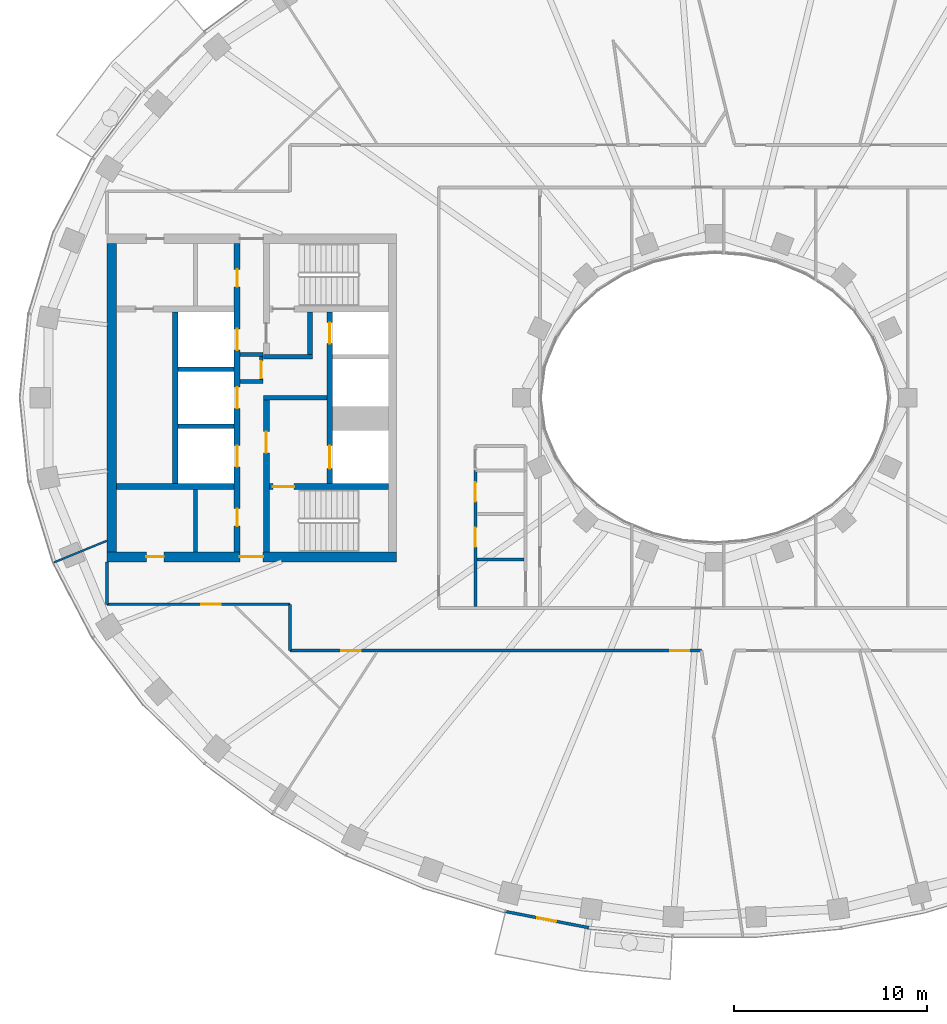
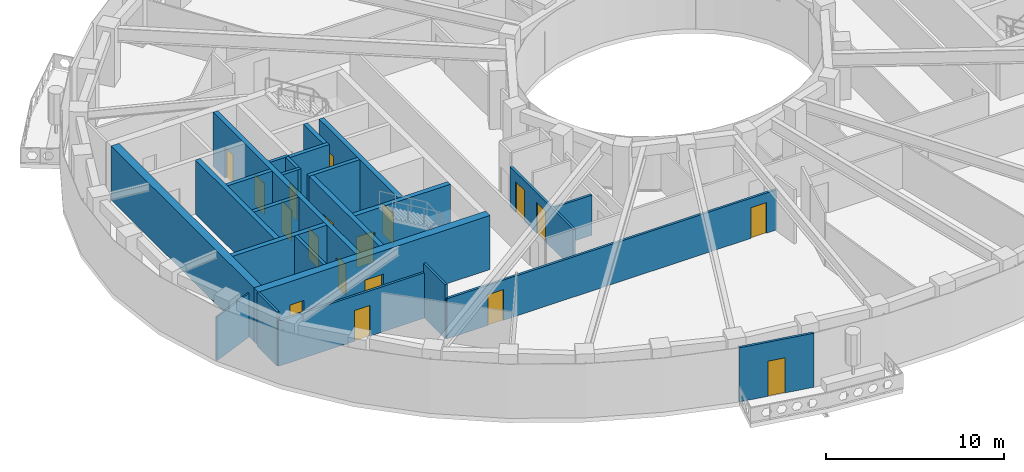
# One storey, part 3 of 16: 25 walls, 18 doors, 18 openings.
"""IFC4 building model written with IfcOpenShell, lengths in metres."""

import ifcopenshell
import ifcopenshell.guid

model = None  # the IFC model being written
_history = None  # IfcOwnerHistory: only IFC2X3 demands one
_inside = {}  # id of a spatial element -> (the spatial element, [elements in it])
_under = {}  # id of a project, library or spatial element -> (it, [spatial elements below it])
_declared = {}  # id of a project -> (the project, [libraries it declares])
_typed = {}  # id of a type object -> (the type object, [elements of that type])
_made_of = {}  # id of a material, layer set ... -> (it, [elements and type objects made of it])


def new_model(schema):
    """Start an empty IFC model of exactly this schema.

    Asked for "IFC4X3", IfcOpenShell would pick the latest addendum, in which some entities
    have other attributes; the version numbers below select the first issue.
    IFC2X3 requires an IfcOwnerHistory on every rooted entity: one is made here for all.
    """
    global model, _history
    if schema == "IFC4X3":
        model = ifcopenshell.file(schema_version=(4, 3, 0, 0))
    else:
        model = ifcopenshell.file(schema=schema)
    _inside.clear()
    _under.clear()
    _declared.clear()
    _typed.clear()
    _made_of.clear()
    _history = None
    if model.schema == "IFC2X3":
        org = make("IfcOrganization", Name="unknown")
        user = make(
            "IfcPersonAndOrganization",
            ThePerson=make("IfcPerson", FamilyName="unknown"),
            TheOrganization=org,
        )
        app = make(
            "IfcApplication",
            ApplicationDeveloper=org,
            Version="unknown",
            ApplicationFullName="unknown",
            ApplicationIdentifier="unknown",
        )
        _history = make(
            "IfcOwnerHistory",
            OwningUser=user,
            OwningApplication=app,
            ChangeAction="ADDED",
            CreationDate=0,
        )
    return model


def make(cls, **values):
    """One entity of the class cls with the attributes given. An attribute that is None is left unset."""
    return model.create_entity(
        cls, **{name: value for name, value in values.items() if value is not None}
    )


def rooted(cls, **values):
    """An entity with a GlobalId (a new one), such as an element, a storey or a relation."""
    return make(cls, GlobalId=ifcopenshell.guid.new(), OwnerHistory=_history, **values)


def si_unit(unit_type, name, prefix=None):
    """IfcSIUnit, for example si_unit("LENGTHUNIT", "METRE", prefix="MILLI")."""
    return make("IfcSIUnit", UnitType=unit_type, Prefix=prefix, Name=name)


def assignment(units):
    """IfcUnitAssignment: the units of a project."""
    return None if units is None else make("IfcUnitAssignment", Units=units)


def point(xyz):
    """IfcCartesianPoint."""
    return None if xyz is None else make("IfcCartesianPoint", Coordinates=xyz)


def direction(xyz):
    """IfcDirection."""
    return None if xyz is None else make("IfcDirection", DirectionRatios=xyz)


def frame(location, z_axis=None, x_axis=None):
    """IfcAxis2Placement3D, a coordinate frame: its origin and axes. An axis left out is left unset."""
    return make(
        "IfcAxis2Placement3D",
        Location=point(location),
        Axis=direction(z_axis),
        RefDirection=direction(x_axis),
    )


def frame_2d(location, x_axis=None):
    """IfcAxis2Placement2D, a coordinate frame in the plane: its origin and x axis."""
    return make(
        "IfcAxis2Placement2D", Location=point(location), RefDirection=direction(x_axis)
    )


def origin():
    """The frame at (0, 0, 0) with its axes left unset."""
    return frame((0.0, 0.0, 0.0))


def place(relative_to, where):
    """IfcLocalPlacement: puts the frame where relative to a parent placement (None: the world)."""
    return make(
        "IfcLocalPlacement", PlacementRelTo=relative_to, RelativePlacement=where
    )


def context(
    kind, dimensions, precision=None, world=None, true_north=None, identifier=None
):
    """IfcGeometricRepresentationContext, for example the 3D "Model" context."""
    return make(
        "IfcGeometricRepresentationContext",
        ContextIdentifier=identifier,
        ContextType=kind,
        CoordinateSpaceDimension=dimensions,
        Precision=precision,
        WorldCoordinateSystem=world,
        TrueNorth=true_north,
    )


def subcontext(parent, identifier, kind, view, scale=None):
    """IfcGeometricRepresentationSubContext, for example "Body" below "Model"."""
    return make(
        "IfcGeometricRepresentationSubContext",
        ContextIdentifier=identifier,
        ContextType=kind,
        ParentContext=parent,
        TargetScale=scale,
        TargetView=view,
    )


def project(units=None, contexts=None):
    """IfcProject with its units and contexts."""
    return rooted(
        "IfcProject",
        Name="project",
        RepresentationContexts=contexts,
        UnitsInContext=assignment(units),
    )


def spatial(cls, under=None, at=None, **own):
    """A site, building, storey or space (cls), placed at a placement, below another one or the project."""
    s = rooted(cls, ObjectPlacement=at, **own)
    if under is not None:
        _under.setdefault(under.id(), (under, []))[1].append(s)
    return s


def profile(cls, at=None, kind="AREA", **sizes):
    """A parametric profile (cls). Its sizes go by their IFC names, for example OverallWidth=200.0."""
    return make(cls, ProfileType=kind, Position=at, **sizes)


def rectangle(**sizes):
    """IfcRectangleProfileDef."""
    return profile("IfcRectangleProfileDef", **sizes)


def extrude(swept, where, along, depth):
    """IfcExtrudedAreaSolid: the profile swept, set in the frame where, extruded along a direction by depth."""
    return make(
        "IfcExtrudedAreaSolid",
        SweptArea=swept,
        Position=where,
        ExtrudedDirection=direction(along),
        Depth=depth,
    )


def shape(context_of_items, identifier, shape_type, items):
    """IfcShapeRepresentation: the items that make up one representation, for example the "Body"."""
    return make(
        "IfcShapeRepresentation",
        ContextOfItems=context_of_items,
        RepresentationIdentifier=identifier,
        RepresentationType=shape_type,
        Items=items,
    )


def material(Name=None, Category=None):
    """IfcMaterial."""
    return make("IfcMaterial", Name=Name, Category=Category)


def layer(
    of_material, thickness, ventilated=None, Name=None, Category=None, Priority=None
):
    """IfcMaterialLayer: one layer of a wall or slab, of a material (None: an air gap)."""
    return make(
        "IfcMaterialLayer",
        Material=of_material,
        LayerThickness=thickness,
        IsVentilated=ventilated,
        Name=Name,
        Category=Category,
        Priority=Priority,
    )


def layer_set(layers, Name=None):
    """IfcMaterialLayerSet."""
    return make("IfcMaterialLayerSet", MaterialLayers=layers, LayerSetName=Name)


def made_of(thing, what):
    """Note that an element or type object is made of a material, layer set ...; save() writes the relation."""
    if what is not None:
        _made_of.setdefault(what.id(), (what, []))[1].append(thing)
    return thing


def type_object(cls, material=None, **own):
    """A type object (cls), such as IfcWallType, which elements share."""
    return made_of(rooted(cls, **own), material)


def element(
    cls,
    number,
    at=None,
    inside=None,
    cuts=None,
    type_object=None,
    material=None,
    context=None,
    identifier="Body",
    shape_type=None,
    held_by="IfcProductDefinitionShape",
    body=None,
    shapes=None,
    **own,
):
    """One element of the class cls, such as IfcWall. Its Tag is "e" and its number.

    at: its placement. inside: the storey or other place that contains it. cuts: it is an
    opening in that element (IfcRelVoidsElement). A single representation is given by context,
    identifier, shape_type and body (its items); several are given by shapes. held_by: the class
    of the entity that holds the representations. save() writes the other relations.
    """
    e = rooted(cls, Tag="e%d" % number, ObjectPlacement=at, **own)
    if body is not None:
        shapes = [shape(context, identifier, shape_type, body)]
    if shapes is not None:
        e.Representation = make(held_by, Representations=shapes)
    if inside is not None:
        _inside.setdefault(inside.id(), (inside, []))[1].append(e)
    if cuts is not None:
        rooted(
            "IfcRelVoidsElement", RelatingBuildingElement=cuts, RelatedOpeningElement=e
        )
    if type_object is not None:
        _typed.setdefault(type_object.id(), (type_object, []))[1].append(e)
    return made_of(e, material)


def fill(opening, filler):
    """IfcRelFillsElement: the door or window that sits in an opening."""
    return rooted(
        "IfcRelFillsElement",
        RelatingOpeningElement=opening,
        RelatedBuildingElement=filler,
    )


def aggregate(whole, parts):
    """IfcRelAggregates: a whole, such as a stair, and the parts it consists of."""
    return rooted("IfcRelAggregates", RelatingObject=whole, RelatedObjects=parts)


def save(model, path):
    """Write the relations noted so far, then the file.

    IfcRelAggregates (storeys below a building ...), IfcRelContainedInSpatialStructure (elements
    in a storey), IfcRelDefinesByType, IfcRelAssociatesMaterial and IfcRelDeclares: one each for
    every whole, place, type object, material and project.
    """
    for whole, parts in _under.values():
        aggregate(whole, parts)
    for where, things in _inside.values():
        rooted(
            "IfcRelContainedInSpatialStructure",
            RelatedElements=things,
            RelatingStructure=where,
        )
    for kind, things in _typed.values():
        rooted("IfcRelDefinesByType", RelatedObjects=things, RelatingType=kind)
    for what, things in _made_of.values():
        rooted("IfcRelAssociatesMaterial", RelatedObjects=things, RelatingMaterial=what)
    for by, libraries in _declared.values():
        rooted("IfcRelDeclares", RelatingContext=by, RelatedDefinitions=libraries)
    model.write(path)


model = new_model("IFC4")

# Units and contexts
model_context = context("Model", 3, precision=1e-05, world=origin(), true_north=direction((0.0, 1.0)))
body_context = subcontext(model_context, "Body", "Model", "MODEL_VIEW")
ifc_project = project(units=[si_unit("LENGTHUNIT", "METRE"), si_unit("AREAUNIT", "SQUARE_METRE"), si_unit("VOLUMEUNIT", "CUBIC_METRE"), si_unit("PLANEANGLEUNIT", "RADIAN"), si_unit("MASSUNIT", "GRAM", prefix="KILO")], contexts=[model_context])

# Site, building, storey
site_placement = place(None, origin())
site = spatial("IfcSite", under=ifc_project, at=site_placement, CompositionType="ELEMENT")
building_placement = place(site_placement, origin())
building = spatial("IfcBuilding", under=site, at=building_placement, Name="Noorbagh Ring Tower", CompositionType="ELEMENT")
storey_placement = place(building_placement, frame((0.0, 0.0, 261.5)))
storey = spatial("IfcBuildingStorey", under=building, at=storey_placement, Name="L55", CompositionType="ELEMENT", Elevation=261.5)

# Walls
ifc_material_1 = material(Name="Gypsum board on steel studs", Category="steel")
ifc_layer_1 = layer(ifc_material_1, 0.199951171875)
ifc_layer_set_1 = layer_set([ifc_layer_1], Name="Gypsum board on steel studs")
wall_type_1 = type_object("IfcWallType", Name="CORE-PARTITION-200", PredefinedType="PARTITIONING", material=ifc_layer_set_1)
for number, where, z_axis, x_axis, name in (
    (1, (-23.39990234375, 0.85009765625, 0.0), (0.0, 0.0, 1.0), (-1.0, 0.0, 0.0), "Core partition W"),
    (2, (-23.39990234375, 2.25, 0.0), (0.0, 0.0, 1.0), (-1.0, 0.0, 0.0), "Core partition W"),
):
    element("IfcWall", number, at=place(storey_placement, frame(where, z_axis=z_axis, x_axis=x_axis)), inside=storey, type_object=wall_type_1, Name=name, PredefinedType="PARTITIONING", context=body_context, shape_type="SweptSolid", body=[
        extrude(rectangle(XDim=1.2001953125, YDim=0.199951171875, at=frame_2d((0.60009765625, 0.0))), origin(), (0.0, 0.0, 1.0), 3.699951171875),
    ])

# Wall, opening, door
wall_1_placement = place(storey_placement, frame((-23.5, 0.75, 0.0), z_axis=(0.0, 0.0, 1.0), x_axis=(0.0, 1.0, 0.0)))
wall_1 = element("IfcWall", 3, at=wall_1_placement, inside=storey, type_object=wall_type_1, Name="Core partition W", PredefinedType="PARTITIONING", context=body_context, shape_type="SweptSolid", body=[
    extrude(rectangle(XDim=1.60009765625, YDim=0.199951171875, at=frame_2d((0.800048828125, 0.0))), origin(), (0.0, 0.0, 1.0), 3.699951171875),
])
opening_1_placement = place(wall_1_placement, frame((0.25, 0.0, 0.0)))
opening_1 = element("IfcOpeningElement", 4, at=opening_1_placement, cuts=wall_1, Name="Opening L55-CW16", PredefinedType="OPENING", context=body_context, shape_type="SweptSolid", body=[
    extrude(rectangle(XDim=0.89990234375, YDim=2.10009765625, at=frame_2d((0.449951171875, 1.050048828125))), frame((0.0, 0.10986328125, 0.0), z_axis=(0.0, -1.0, 0.0), x_axis=(1.0, 0.0, 0.0)), (0.0, 0.0, 1.0), 0.219970703125),
])
ifc_material_2 = material(Name="Steel door leaf", Category="steel")
door_type_1 = type_object("IfcDoorType", Name="CORE-DOOR-DROOM", OperationType="SINGLE_SWING_LEFT", PredefinedType="DOOR", material=ifc_material_2)
door_1_placement = place(opening_1_placement, origin())
door_1 = element("IfcDoor", 5, at=door_1_placement, inside=storey, type_object=door_type_1, Name="Core room door L55-CW16", OperationType="SINGLE_SWING_RIGHT", OverallHeight=2.10009765625, OverallWidth=0.89990234375, PredefinedType="DOOR", context=body_context, shape_type="SweptSolid", body=[
    extrude(rectangle(XDim=0.89990234375, YDim=2.10009765625, at=frame_2d((0.449951171875, 1.050048828125))), frame((0.0, 0.02490234375, 0.0), z_axis=(0.0, -1.0, 0.0), x_axis=(1.0, 0.0, 0.0)), (0.0, 0.0, 1.0), 0.050048828125),
])
fill(opening_1, door_1)

# Walls
wall_2_placement = place(storey_placement, frame((-26.89990234375, -8.0, 0.0), z_axis=(0.0, 0.0, 1.0), x_axis=(0.0, 1.0, 0.0)))
element("IfcWall", 6, at=wall_2_placement, inside=storey, type_object=wall_type_1, Name="Core partition W", PredefinedType="PARTITIONING", context=body_context, shape_type="SweptSolid", body=[
    extrude(rectangle(XDim=3.25, YDim=0.199951171875, at=frame_2d((1.625, 0.0))), origin(), (0.0, 0.0, 1.0), 3.699951171875),
])
ifc_material_3 = material(Name="Concrete C60/75", Category="concrete")
ifc_layer_2 = layer(ifc_material_3, 0.25)
ifc_layer_set_2 = layer_set([ifc_layer_2], Name="Concrete C60/75")
wall_type_2 = type_object("IfcWallType", Name="CORE-WALL-250-C60-75-EI120", PredefinedType="SHEAR", material=ifc_layer_set_2)
for number, where, z_axis, x_axis, name in (
    (7, (-24.89990234375, -1.47509765625, 0.0), (0.0, 0.0, 1.0), (-1.0, 0.0, 0.0), "Core wall W"),
    (8, (-24.89990234375, 1.47509765625, 0.0), (0.0, 0.0, 1.0), (-1.0, 0.0, 0.0), "Core wall W"),
):
    element("IfcWall", number, at=place(storey_placement, frame(where, z_axis=z_axis, x_axis=x_axis)), inside=storey, type_object=wall_type_2, Name=name, PredefinedType="SHEAR", context=body_context, shape_type="SweptSolid", body=[
        extrude(rectangle(XDim=2.900146484375, YDim=0.25, at=frame_2d((1.4501953125, 0.0))), origin(), (0.0, 0.0, 1.0), 3.699951171875),
    ])
ifc_material_4 = material(Name="Concrete C60/75", Category="concrete")
ifc_layer_3 = layer(ifc_material_4, 0.25)
ifc_layer_set_3 = layer_set([ifc_layer_3], Name="Concrete C60/75")
wall_type_3 = type_object("IfcWallType", Name="CORE-WALL-250-C60-75-EI240", PredefinedType="SHEAR", material=ifc_layer_set_3)
wall_3_placement = place(storey_placement, frame((-20.10009765625, 0.0, 0.0), z_axis=(0.0, 0.0, 1.0), x_axis=(-1.0, 0.0, 0.0)))
element("IfcWall", 9, at=wall_3_placement, inside=storey, type_object=wall_type_3, Name="Core wall W", PredefinedType="SHEAR", context=body_context, shape_type="SweptSolid", body=[
    extrude(rectangle(XDim=3.27978515625, YDim=0.25, at=frame_2d((1.639892578125, 0.0))), origin(), (0.0, 0.0, 1.0), 3.699951171875),
])
wall_4_placement = place(storey_placement, frame((-20.85009765625, 2.125, 0.0), z_axis=(0.0, 0.0, 1.0), x_axis=(-1.0, 0.0, 0.0)))
element("IfcWall", 10, at=wall_4_placement, inside=storey, type_object=wall_type_3, Name="Core wall W", PredefinedType="SHEAR", context=body_context, shape_type="SweptSolid", body=[
    extrude(rectangle(XDim=2.52978515625, YDim=0.25, at=frame_2d((1.264892578125, 0.0))), origin(), (0.0, 0.0, 1.0), 3.699951171875),
])
wall_5_placement = place(storey_placement, frame((-20.97509765625, 2.25, 0.0), z_axis=(0.0, 0.0, 1.0), x_axis=(0.0, 1.0, 0.0)))
element("IfcWall", 11, at=wall_5_placement, inside=storey, type_object=wall_type_3, Name="Core wall W", PredefinedType="SHEAR", context=body_context, shape_type="SweptSolid", body=[
    extrude(rectangle(XDim=2.199951171875, YDim=0.25, at=frame_2d((1.10009765625, 0.0))), origin(), (0.0, 0.0, 1.0), 3.699951171875),
])
ifc_material_5 = material(Name="Concrete C60/75", Category="concrete")
ifc_layer_4 = layer(ifc_material_5, 0.300048828125)
ifc_layer_set_4 = layer_set([ifc_layer_4], Name="Concrete C60/75")
wall_type_4 = type_object("IfcWallType", Name="CORE-WALL-300-C60-75-EI120", PredefinedType="SHEAR", material=ifc_layer_set_4)
wall_6_placement = place(storey_placement, frame((-27.949951171875, -4.449951171875, 0.0), z_axis=(0.0, 0.0, 1.0), x_axis=(0.0, 1.0, 0.0)))
element("IfcWall", 12, at=wall_6_placement, inside=storey, type_object=wall_type_4, Name="Core wall W", PredefinedType="SHEAR", context=body_context, shape_type="SweptSolid", body=[
    extrude(rectangle(XDim=8.89990234375, YDim=0.300048828125, at=frame_2d((4.449951171875, 0.0))), origin(), (0.0, 0.0, 1.0), 3.699951171875),
])

# Wall, openings, doors
wall_7_placement = place(storey_placement, frame((-19.949951171875, -4.449951171875, 0.0), z_axis=(0.0, 0.0, 1.0), x_axis=(0.0, 1.0, 0.0)))
wall_7 = element("IfcWall", 13, at=wall_7_placement, inside=storey, type_object=wall_type_4, Name="Core wall W", PredefinedType="SHEAR", context=body_context, shape_type="SweptSolid", body=[
    extrude(rectangle(XDim=8.89990234375, YDim=0.300048828125, at=frame_2d((4.449951171875, 0.0))), origin(), (0.0, 0.0, 1.0), 3.699951171875),
])
opening_2_placement = place(wall_7_placement, frame((0.77490234375, 0.0, 0.0)))
opening_2 = element("IfcOpeningElement", 14, at=opening_2_placement, cuts=wall_7, Name="Opening L55-CW01", PredefinedType="OPENING", context=body_context, shape_type="SweptSolid", body=[
    extrude(rectangle(XDim=1.199951171875, YDim=2.10009765625, at=frame_2d((0.60009765625, 1.050048828125))), frame((0.0, 0.16015625, 0.0), z_axis=(0.0, -1.0, 0.0), x_axis=(1.0, 0.0, 0.0)), (0.0, 0.0, 1.0), 0.320068359375),
])
opening_3_placement = place(wall_7_placement, frame((7.25, 0.0, 0.0)))
opening_3 = element("IfcOpeningElement", 15, at=opening_3_placement, cuts=wall_7, Name="Opening L55-CW02", PredefinedType="OPENING", context=body_context, shape_type="SweptSolid", body=[
    extrude(rectangle(XDim=1.10009765625, YDim=2.10009765625, at=frame_2d((0.550048828125, 1.050048828125))), frame((0.0, 0.16015625, 0.0), z_axis=(0.0, -1.0, 0.0), x_axis=(1.0, 0.0, 0.0)), (0.0, 0.0, 1.0), 0.320068359375),
])
ifc_material_6 = material(Name="Steel door leaf", Category="steel")
door_type_2 = type_object("IfcDoorType", Name="CORE-DOOR-LD", OperationType="DOUBLE_DOOR_SLIDING", PredefinedType="DOOR", material=ifc_material_6)
door_2_placement = place(opening_3_placement, origin())
door_2 = element("IfcDoor", 16, at=door_2_placement, inside=storey, type_object=door_type_2, Name="Landing door HR1 L55-CW02", OperationType="DOUBLE_DOOR_SLIDING", OverallHeight=2.10009765625, OverallWidth=1.10009765625, PredefinedType="DOOR", context=body_context, shape_type="SweptSolid", body=[
    extrude(rectangle(XDim=1.10009765625, YDim=2.10009765625, at=frame_2d((0.550048828125, 1.050048828125))), frame((0.0, 0.02490234375, 0.0), z_axis=(0.0, -1.0, 0.0), x_axis=(1.0, 0.0, 0.0)), (0.0, 0.0, 1.0), 0.050048828125),
])
fill(opening_3, door_2)
ifc_material_7 = material(Name="Steel door leaf", Category="steel")
door_type_3 = type_object("IfcDoorType", Name="CORE-DOOR-LDW", OperationType="DOUBLE_DOOR_SLIDING", PredefinedType="DOOR", material=ifc_material_7)
door_3_placement = place(opening_2_placement, origin())
door_3 = element("IfcDoor", 17, at=door_3_placement, inside=storey, type_object=door_type_3, Name="Landing door FF1 L55-CW01", OperationType="DOUBLE_DOOR_SLIDING", OverallHeight=2.10009765625, OverallWidth=1.199951171875, PredefinedType="DOOR", context=body_context, shape_type="SweptSolid", body=[
    extrude(rectangle(XDim=1.199951171875, YDim=2.10009765625, at=frame_2d((0.60009765625, 1.050048828125))), frame((0.0, 0.02490234375, 0.0), z_axis=(0.0, -1.0, 0.0), x_axis=(1.0, 0.0, 0.0)), (0.0, 0.0, 1.0), 0.050048828125),
])
fill(opening_2, door_3)

wall_8_placement = place(storey_placement, frame((-24.75, -8.0, 0.0), z_axis=(0.0, 0.0, 1.0), x_axis=(0.0, 1.0, 0.0)))
wall_8 = element("IfcWall", 18, at=wall_8_placement, inside=storey, type_object=wall_type_4, Name="Core wall W", PredefinedType="SHEAR", context=body_context, shape_type="SweptSolid", body=[
    extrude(rectangle(XDim=16.0, YDim=0.300048828125, at=frame_2d((8.0, 0.0))), origin(), (0.0, 0.0, 1.0), 3.699951171875),
])
opening_4_placement = place(wall_8_placement, frame((4.425048828125, 0.0, 0.0)))
opening_4 = element("IfcOpeningElement", 19, at=opening_4_placement, cuts=wall_8, Name="Opening L55-CW03", PredefinedType="OPENING", context=body_context, shape_type="SweptSolid", body=[
    extrude(rectangle(XDim=1.10009765625, YDim=2.10009765625, at=frame_2d((0.550048828125, 1.050048828125))), frame((0.0, 0.16015625, 0.0), z_axis=(0.0, -1.0, 0.0), x_axis=(1.0, 0.0, 0.0)), (0.0, 0.0, 1.0), 0.320068359375),
])
opening_5_placement = place(wall_8_placement, frame((7.449951171875, 0.0, 0.0)))
opening_5 = element("IfcOpeningElement", 20, at=opening_5_placement, cuts=wall_8, Name="Opening L55-CW04", PredefinedType="OPENING", context=body_context, shape_type="SweptSolid", body=[
    extrude(rectangle(XDim=1.10009765625, YDim=2.10009765625, at=frame_2d((0.550048828125, 1.050048828125))), frame((0.0, 0.16015625, 0.0), z_axis=(0.0, -1.0, 0.0), x_axis=(1.0, 0.0, 0.0)), (0.0, 0.0, 1.0), 0.320068359375),
])
opening_6_placement = place(wall_8_placement, frame((10.47509765625, 0.0, 0.0)))
opening_6 = element("IfcOpeningElement", 21, at=opening_6_placement, cuts=wall_8, Name="Opening L55-CW05", PredefinedType="OPENING", context=body_context, shape_type="SweptSolid", body=[
    extrude(rectangle(XDim=1.10009765625, YDim=2.10009765625, at=frame_2d((0.550048828125, 1.050048828125))), frame((0.0, 0.16015625, 0.0), z_axis=(0.0, -1.0, 0.0), x_axis=(1.0, 0.0, 0.0)), (0.0, 0.0, 1.0), 0.320068359375),
])
opening_7_placement = place(wall_8_placement, frame((13.75, 0.0, 0.0)))
opening_7 = element("IfcOpeningElement", 22, at=opening_7_placement, cuts=wall_8, Name="Opening L55-CW12", PredefinedType="OPENING", context=body_context, shape_type="SweptSolid", body=[
    extrude(rectangle(XDim=0.89990234375, YDim=2.10009765625, at=frame_2d((0.449951171875, 1.050048828125))), frame((0.0, 0.16015625, 0.0), z_axis=(0.0, -1.0, 0.0), x_axis=(1.0, 0.0, 0.0)), (0.0, 0.0, 1.0), 0.320068359375),
])
opening_8_placement = place(wall_8_placement, frame((1.35009765625, 0.0, 0.0)))
opening_8 = element("IfcOpeningElement", 23, at=opening_8_placement, cuts=wall_8, Name="Opening L55-CW14", PredefinedType="OPENING", context=body_context, shape_type="SweptSolid", body=[
    extrude(rectangle(XDim=0.89990234375, YDim=2.10009765625, at=frame_2d((0.449951171875, 1.050048828125))), frame((0.0, 0.16015625, 0.0), z_axis=(0.0, -1.0, 0.0), x_axis=(1.0, 0.0, 0.0)), (0.0, 0.0, 1.0), 0.320068359375),
])
door_4_placement = place(opening_7_placement, origin())
door_4 = element("IfcDoor", 24, at=door_4_placement, inside=storey, type_object=door_type_1, Name="Core room door L55-CW12", OperationType="SINGLE_SWING_RIGHT", OverallHeight=2.10009765625, OverallWidth=0.89990234375, PredefinedType="DOOR", context=body_context, shape_type="SweptSolid", body=[
    extrude(rectangle(XDim=0.89990234375, YDim=2.10009765625, at=frame_2d((0.449951171875, 1.050048828125))), frame((0.0, 0.02490234375, 0.0), z_axis=(0.0, -1.0, 0.0), x_axis=(1.0, 0.0, 0.0)), (0.0, 0.0, 1.0), 0.050048828125),
])
fill(opening_7, door_4)
door_5_placement = place(opening_8_placement, origin())
door_5 = element("IfcDoor", 25, at=door_5_placement, inside=storey, type_object=door_type_1, Name="Core room door L55-CW14", OperationType="SINGLE_SWING_LEFT", OverallHeight=2.10009765625, OverallWidth=0.89990234375, PredefinedType="DOOR", context=body_context, shape_type="SweptSolid", body=[
    extrude(rectangle(XDim=0.89990234375, YDim=2.10009765625, at=frame_2d((0.449951171875, 1.050048828125))), frame((0.0, 0.02490234375, 0.0), z_axis=(0.0, -1.0, 0.0), x_axis=(1.0, 0.0, 0.0)), (0.0, 0.0, 1.0), 0.050048828125),
])
fill(opening_8, door_5)
door_6_placement = place(opening_4_placement, origin())
door_6 = element("IfcDoor", 26, at=door_6_placement, inside=storey, type_object=door_type_2, Name="Landing door HR2 L55-CW03", OperationType="DOUBLE_DOOR_SLIDING", OverallHeight=2.10009765625, OverallWidth=1.10009765625, PredefinedType="DOOR", context=body_context, shape_type="SweptSolid", body=[
    extrude(rectangle(XDim=1.10009765625, YDim=2.10009765625, at=frame_2d((0.550048828125, 1.050048828125))), frame((0.0, 0.02490234375, 0.0), z_axis=(0.0, -1.0, 0.0), x_axis=(1.0, 0.0, 0.0)), (0.0, 0.0, 1.0), 0.050048828125),
])
fill(opening_4, door_6)
door_7_placement = place(opening_5_placement, origin())
door_7 = element("IfcDoor", 27, at=door_7_placement, inside=storey, type_object=door_type_2, Name="Landing door HR3 L55-CW04", OperationType="DOUBLE_DOOR_SLIDING", OverallHeight=2.10009765625, OverallWidth=1.10009765625, PredefinedType="DOOR", context=body_context, shape_type="SweptSolid", body=[
    extrude(rectangle(XDim=1.10009765625, YDim=2.10009765625, at=frame_2d((0.550048828125, 1.050048828125))), frame((0.0, 0.02490234375, 0.0), z_axis=(0.0, -1.0, 0.0), x_axis=(1.0, 0.0, 0.0)), (0.0, 0.0, 1.0), 0.050048828125),
])
fill(opening_5, door_7)
door_8_placement = place(opening_6_placement, origin())
door_8 = element("IfcDoor", 28, at=door_8_placement, inside=storey, type_object=door_type_2, Name="Landing door HR4 L55-CW05", OperationType="DOUBLE_DOOR_SLIDING", OverallHeight=2.10009765625, OverallWidth=1.10009765625, PredefinedType="DOOR", context=body_context, shape_type="SweptSolid", body=[
    extrude(rectangle(XDim=1.10009765625, YDim=2.10009765625, at=frame_2d((0.550048828125, 1.050048828125))), frame((0.0, 0.02490234375, 0.0), z_axis=(0.0, -1.0, 0.0), x_axis=(1.0, 0.0, 0.0)), (0.0, 0.0, 1.0), 0.050048828125),
])
fill(opening_6, door_8)

# Wall
ifc_material_8 = material(Name="Concrete C60/75", Category="concrete")
ifc_layer_5 = layer(ifc_material_8, 0.300048828125)
ifc_layer_set_5 = layer_set([ifc_layer_5], Name="Concrete C60/75")
wall_type_5 = type_object("IfcWallType", Name="CORE-WALL-300-C60-75-EI240", PredefinedType="SHEAR", material=ifc_layer_set_5)
wall_9_placement = place(storey_placement, frame((-24.89990234375, -4.60009765625, 0.0), z_axis=(0.0, 0.0, 1.0), x_axis=(-1.0, 0.0, 0.0)))
element("IfcWall", 29, at=wall_9_placement, inside=storey, type_object=wall_type_5, Name="Core wall W", PredefinedType="SHEAR", context=body_context, shape_type="SweptSolid", body=[
    extrude(rectangle(XDim=6.10009765625, YDim=0.300048828125, at=frame_2d((3.050048828125, 0.0))), origin(), (0.0, 0.0, 1.0), 3.699951171875),
])

# Wall, opening, door
wall_10_placement = place(storey_placement, frame((-23.22998046875, -8.0, 0.0), z_axis=(0.0, 0.0, 1.0), x_axis=(0.0, 1.0, 0.0)))
wall_10 = element("IfcWall", 30, at=wall_10_placement, inside=storey, type_object=wall_type_5, Name="Core wall W", PredefinedType="SHEAR", context=body_context, shape_type="SweptSolid", body=[
    extrude(rectangle(XDim=7.875, YDim=0.300048828125, at=frame_2d((3.9375, 0.0))), origin(), (0.0, 0.0, 1.0), 3.699951171875),
])
opening_9_placement = place(wall_10_placement, frame((5.14990234375, 0.0, 0.0)))
opening_9 = element("IfcOpeningElement", 31, at=opening_9_placement, cuts=wall_10, Name="Opening L55-CW08", PredefinedType="OPENING", context=body_context, shape_type="SweptSolid", body=[
    extrude(rectangle(XDim=1.10009765625, YDim=2.10009765625, at=frame_2d((0.550048828125, 1.050048828125))), frame((0.0, 0.16015625, 0.0), z_axis=(0.0, -1.0, 0.0), x_axis=(1.0, 0.0, 0.0)), (0.0, 0.0, 1.0), 0.320068359375),
])
ifc_material_9 = material(Name="Steel door leaf", Category="steel")
door_type_4 = type_object("IfcDoorType", Name="CORE-DOOR-DFF", OperationType="SINGLE_SWING_LEFT", PredefinedType="DOOR", material=ifc_material_9)
door_9_placement = place(opening_9_placement, origin())
door_9 = element("IfcDoor", 32, at=door_9_placement, inside=storey, type_object=door_type_4, Name="Firefighting lobby door L55-CW08", OperationType="SINGLE_SWING_LEFT", OverallHeight=2.10009765625, OverallWidth=1.10009765625, PredefinedType="DOOR", context=body_context, shape_type="SweptSolid", body=[
    extrude(rectangle(XDim=1.10009765625, YDim=2.10009765625, at=frame_2d((0.550048828125, 1.050048828125))), frame((0.0, 0.02490234375, 0.0), z_axis=(0.0, -1.0, 0.0), x_axis=(1.0, 0.0, 0.0)), (0.0, 0.0, 1.0), 0.050048828125),
])
fill(opening_9, door_9)

wall_11_placement = place(storey_placement, frame((-16.89990234375, -4.60009765625, 0.0), z_axis=(0.0, 0.0, 1.0), x_axis=(-1.0, 0.0, 0.0)))
wall_11 = element("IfcWall", 33, at=wall_11_placement, inside=storey, type_object=wall_type_5, Name="Core wall W", PredefinedType="SHEAR", context=body_context, shape_type="SweptSolid", body=[
    extrude(rectangle(XDim=6.18017578125, YDim=0.300048828125, at=frame_2d((3.090087890625, 0.0))), origin(), (0.0, 0.0, 1.0), 3.699951171875),
])
opening_10_placement = place(wall_11_placement, frame((4.89990234375, 0.0, 0.0)))
opening_10 = element("IfcOpeningElement", 34, at=opening_10_placement, cuts=wall_11, Name="Opening L55-CW07", PredefinedType="OPENING", context=body_context, shape_type="SweptSolid", body=[
    extrude(rectangle(XDim=1.10009765625, YDim=2.10009765625, at=frame_2d((0.550048828125, 1.050048828125))), frame((0.0, 0.16015625, 0.0), z_axis=(0.0, -1.0, 0.0), x_axis=(1.0, 0.0, 0.0)), (0.0, 0.0, 1.0), 0.320068359375),
])
ifc_material_10 = material(Name="Steel door leaf", Category="steel")
door_type_5 = type_object("IfcDoorType", Name="CORE-DOOR-DSTAIR", OperationType="SINGLE_SWING_LEFT", PredefinedType="DOOR", material=ifc_material_10)
door_10_placement = place(opening_10_placement, origin())
door_10 = element("IfcDoor", 35, at=door_10_placement, inside=storey, type_object=door_type_5, Name="Stair door ST2 L55-CW07", OperationType="SINGLE_SWING_LEFT", OverallHeight=2.10009765625, OverallWidth=1.10009765625, PredefinedType="DOOR", context=body_context, shape_type="SweptSolid", body=[
    extrude(rectangle(XDim=1.10009765625, YDim=2.10009765625, at=frame_2d((0.550048828125, 1.050048828125))), frame((0.0, 0.02490234375, 0.0), z_axis=(0.0, -1.0, 0.0), x_axis=(1.0, 0.0, 0.0)), (0.0, 0.0, 1.0), 0.050048828125),
])
fill(opening_10, door_10)

# Wall, openings, doors
ifc_material_11 = material(Name="Concrete C60/75", Category="concrete")
ifc_layer_6 = layer(ifc_material_11, 0.5)
ifc_layer_set_6 = layer_set([ifc_layer_6], Name="Concrete C60/75")
wall_type_6 = type_object("IfcWallType", Name="CORE-WALL-500-C60-75-EI240", PredefinedType="SHEAR", material=ifc_layer_set_6)
wall_12_placement = place(storey_placement, frame((-16.5, -8.25, 0.0), z_axis=(0.0, 0.0, 1.0), x_axis=(-1.0, 0.0, 0.0)))
wall_12 = element("IfcWall", 36, at=wall_12_placement, inside=storey, type_object=wall_type_6, Name="Core wall W", PredefinedType="SHEAR", context=body_context, shape_type="SweptSolid", body=[
    extrude(rectangle(XDim=15.0, YDim=0.5, at=frame_2d((7.5, 0.0))), origin(), (0.0, 0.0, 1.0), 3.699951171875),
])
opening_11_placement = place(wall_12_placement, frame((6.89990234375, 0.0, 0.0)))
opening_11 = element("IfcOpeningElement", 37, at=opening_11_placement, cuts=wall_12, Name="Opening L55-CW11", PredefinedType="OPENING", context=body_context, shape_type="SweptSolid", body=[
    extrude(rectangle(XDim=1.199951171875, YDim=2.10009765625, at=frame_2d((0.60009765625, 1.050048828125))), frame((0.0, 0.260009765625, 0.0), z_axis=(0.0, -1.0, 0.0), x_axis=(1.0, 0.0, 0.0)), (0.0, 0.0, 1.0), 0.52001953125),
])
opening_12_placement = place(wall_12_placement, frame((12.050048828125, 0.0, 0.0)))
opening_12 = element("IfcOpeningElement", 38, at=opening_12_placement, cuts=wall_12, Name="Opening L55-CW15", PredefinedType="OPENING", context=body_context, shape_type="SweptSolid", body=[
    extrude(rectangle(XDim=0.89990234375, YDim=2.10009765625, at=frame_2d((0.449951171875, 1.050048828125))), frame((0.0, 0.260009765625, 0.0), z_axis=(0.0, -1.0, 0.0), x_axis=(1.0, 0.0, 0.0)), (0.0, 0.0, 1.0), 0.52001953125),
])
door_11_placement = place(opening_12_placement, origin())
door_11 = element("IfcDoor", 39, at=door_11_placement, inside=storey, type_object=door_type_1, Name="Core room door L55-CW15", OperationType="SINGLE_SWING_LEFT", OverallHeight=2.10009765625, OverallWidth=0.89990234375, PredefinedType="DOOR", context=body_context, shape_type="SweptSolid", body=[
    extrude(rectangle(XDim=0.89990234375, YDim=2.10009765625, at=frame_2d((0.449951171875, 1.050048828125))), frame((0.0, 0.02490234375, 0.0), z_axis=(0.0, -1.0, 0.0), x_axis=(1.0, 0.0, 0.0)), (0.0, 0.0, 1.0), 0.050048828125),
])
fill(opening_12, door_11)
ifc_material_12 = material(Name="Steel door leaf", Category="steel")
door_type_6 = type_object("IfcDoorType", Name="CORE-DOOR-PORT", OperationType="DOUBLE_DOOR_DOUBLE_SWING", PredefinedType="DOOR", material=ifc_material_12)
door_12_placement = place(opening_11_placement, origin())
door_12 = element("IfcDoor", 40, at=door_12_placement, inside=storey, type_object=door_type_6, Name="Core entrance door L55-CW11", OperationType="DOUBLE_DOOR_DOUBLE_SWING", OverallHeight=2.10009765625, OverallWidth=1.199951171875, PredefinedType="DOOR", context=body_context, shape_type="SweptSolid", body=[
    extrude(rectangle(XDim=1.199951171875, YDim=2.10009765625, at=frame_2d((0.60009765625, 1.050048828125))), frame((0.0, 0.02490234375, 0.0), z_axis=(0.0, -1.0, 0.0), x_axis=(1.0, 0.0, 0.0)), (0.0, 0.0, 1.0), 0.050048828125),
])
fill(opening_11, door_12)

# Walls
wall_13_placement = place(storey_placement, frame((-31.25, -8.0, 0.0), z_axis=(0.0, 0.0, 1.0), x_axis=(0.0, 1.0, 0.0)))
element("IfcWall", 41, at=wall_13_placement, inside=storey, type_object=wall_type_6, Name="Core wall W", PredefinedType="SHEAR", context=body_context, shape_type="SweptSolid", body=[
    extrude(rectangle(XDim=16.0, YDim=0.5, at=frame_2d((8.0, 0.0))), origin(), (0.0, 0.0, 1.0), 3.699951171875),
])
ifc_material_13 = material(Name="Gypsum board on steel studs", Category="steel")
ifc_layer_7 = layer(ifc_material_13, 0.14990234375)
ifc_layer_set_7 = layer_set([ifc_layer_7], Name="Gypsum board on steel studs")
wall_type_7 = type_object("IfcWallType", Name="CORRIDOR PARTITION 150 EI 30", PredefinedType="PARTITIONING", material=ifc_layer_set_7)
wall_14_placement = place(storey_placement, frame((-31.5, -10.699951171875, 0.0), z_axis=(0.0, 0.0, 1.0), x_axis=(0.0, 1.0, 0.0)))
element("IfcWall", 42, at=wall_14_placement, inside=storey, type_object=wall_type_7, Name="L55/wall/P02", PredefinedType="PARTITIONING", context=body_context, shape_type="SweptSolid", body=[
    extrude(rectangle(XDim=2.199951171875, YDim=0.14990234375, at=frame_2d((1.10009765625, 0.0))), origin(), (0.0, 0.0, 1.0), 3.699951171875),
])

# Wall, opening, door
wall_15_placement = place(storey_placement, frame((-31.5, -10.699951171875, 0.0), z_axis=(0.0, 0.0, 1.0), x_axis=(1.0, 0.0, 0.0)))
wall_15 = element("IfcWall", 43, at=wall_15_placement, inside=storey, type_object=wall_type_7, Name="L55/wall/P03", PredefinedType="PARTITIONING", context=body_context, shape_type="SweptSolid", body=[
    extrude(rectangle(XDim=9.5, YDim=0.14990234375, at=frame_2d((4.75, 0.0))), origin(), (0.0, 0.0, 1.0), 3.10009765625),
])
opening_13_placement = place(wall_15_placement, frame((4.89990234375, 0.0, 0.0)))
opening_13 = element("IfcOpeningElement", 44, at=opening_13_placement, cuts=wall_15, Name="Opening D1", PredefinedType="OPENING", context=body_context, shape_type="SweptSolid", body=[
    extrude(rectangle(XDim=1.0, YDim=2.10009765625, at=frame_2d((0.5, 1.050048828125))), frame((0.0, 0.0849609375, 0.0), z_axis=(0.0, -1.0, 0.0), x_axis=(1.0, 0.0, 0.0)), (0.0, 0.0, 1.0), 0.169921875),
])
ifc_material_14 = material(Name="Timber, painted", Category="wood")
door_type_7 = type_object("IfcDoorType", Name="DOOR 1000 X 2100 FD30", OperationType="SINGLE_SWING_LEFT", PredefinedType="DOOR", material=ifc_material_14)
door_13_placement = place(opening_13_placement, origin())
door_13 = element("IfcDoor", 45, at=door_13_placement, inside=storey, type_object=door_type_7, Name="L55-D06", OperationType="SINGLE_SWING_RIGHT", OverallHeight=2.10009765625, OverallWidth=1.0, PredefinedType="DOOR", context=body_context, shape_type="SweptSolid", body=[
    extrude(rectangle(XDim=1.0, YDim=2.10009765625, at=frame_2d((0.5, 1.050048828125))), frame((0.0, 0.02490234375, 0.0), z_axis=(0.0, -1.0, 0.0), x_axis=(1.0, 0.0, 0.0)), (0.0, 0.0, 1.0), 0.050048828125),
])
fill(opening_13, door_13)

# Wall
wall_16_placement = place(storey_placement, frame((-22.0, -13.10009765625, 0.0), z_axis=(0.0, 0.0, 1.0), x_axis=(0.0, 1.0, 0.0)))
element("IfcWall", 46, at=wall_16_placement, inside=storey, type_object=wall_type_7, Name="L55/wall/P10", PredefinedType="PARTITIONING", context=body_context, shape_type="SweptSolid", body=[
    extrude(rectangle(XDim=2.400146484375, YDim=0.14990234375, at=frame_2d((1.2001953125, 0.0))), origin(), (0.0, 0.0, 1.0), 3.699951171875),
])

# Wall, openings, doors
wall_17_placement = place(storey_placement, frame((-22.0, -13.10009765625, 0.0), z_axis=(0.0, 0.0, 1.0), x_axis=(1.0, 0.0, 0.0)))
wall_17 = element("IfcWall", 47, at=wall_17_placement, inside=storey, type_object=wall_type_7, Name="L55/wall/P11", PredefinedType="PARTITIONING", context=body_context, shape_type="SweptSolid", body=[
    extrude(rectangle(XDim=21.31396484375, YDim=0.14990234375, at=frame_2d((10.656982421875, 0.0))), origin(), (0.0, 0.0, 1.0), 2.75),
])
opening_14_placement = place(wall_17_placement, frame((2.64990234375, 0.0, 0.0)))
opening_14 = element("IfcOpeningElement", 48, at=opening_14_placement, cuts=wall_17, Name="Opening D1", PredefinedType="OPENING", context=body_context, shape_type="SweptSolid", body=[
    extrude(rectangle(XDim=1.0, YDim=2.10009765625, at=frame_2d((0.5, 1.050048828125))), frame((0.0, 0.0849609375, 0.0), z_axis=(0.0, -1.0, 0.0), x_axis=(1.0, 0.0, 0.0)), (0.0, 0.0, 1.0), 0.169921875),
])
opening_15_placement = place(wall_17_placement, frame((19.68603515625, 0.0, 0.0)))
opening_15 = element("IfcOpeningElement", 49, at=opening_15_placement, cuts=wall_17, Name="Opening D1", PredefinedType="OPENING", context=body_context, shape_type="SweptSolid", body=[
    extrude(rectangle(XDim=1.0, YDim=2.10009765625, at=frame_2d((0.5, 1.050048828125))), frame((0.0, 0.0849609375, 0.0), z_axis=(0.0, -1.0, 0.0), x_axis=(1.0, 0.0, 0.0)), (0.0, 0.0, 1.0), 0.169921875),
])
door_14_placement = place(opening_14_placement, origin())
door_14 = element("IfcDoor", 50, at=door_14_placement, inside=storey, type_object=door_type_7, Name="L55-D08", OperationType="SINGLE_SWING_RIGHT", OverallHeight=2.10009765625, OverallWidth=1.0, PredefinedType="DOOR", context=body_context, shape_type="SweptSolid", body=[
    extrude(rectangle(XDim=1.0, YDim=2.10009765625, at=frame_2d((0.5, 1.050048828125))), frame((0.0, 0.02490234375, 0.0), z_axis=(0.0, -1.0, 0.0), x_axis=(1.0, 0.0, 0.0)), (0.0, 0.0, 1.0), 0.050048828125),
])
fill(opening_14, door_14)
door_15_placement = place(opening_15_placement, origin())
door_15 = element("IfcDoor", 51, at=door_15_placement, inside=storey, type_object=door_type_7, Name="L55-D10", OperationType="SINGLE_SWING_RIGHT", OverallHeight=2.10009765625, OverallWidth=1.0, PredefinedType="DOOR", context=body_context, shape_type="SweptSolid", body=[
    extrude(rectangle(XDim=1.0, YDim=2.10009765625, at=frame_2d((0.5, 1.050048828125))), frame((0.0, 0.02490234375, 0.0), z_axis=(0.0, -1.0, 0.0), x_axis=(1.0, 0.0, 0.0)), (0.0, 0.0, 1.0), 0.050048828125),
])
fill(opening_15, door_15)

wall_18_placement = place(storey_placement, frame((-12.39990234375, -10.824951171875, 0.0), z_axis=(0.0, 0.0, 1.0), x_axis=(0.0, 1.0, 0.0)))
wall_18 = element("IfcWall", 52, at=wall_18_placement, inside=storey, type_object=wall_type_7, Name="L55/wall/P17", PredefinedType="PARTITIONING", context=body_context, shape_type="SweptSolid", body=[
    extrude(rectangle(XDim=7.06494140625, YDim=0.14990234375, at=frame_2d((3.532470703125, 0.0))), origin(), (0.0, 0.0, 1.0), 2.75),
])
opening_16_placement = place(wall_18_placement, frame((3.094970703125, 0.0, 0.0)))
opening_16 = element("IfcOpeningElement", 53, at=opening_16_placement, cuts=wall_18, Name="Opening D3", PredefinedType="OPENING", context=body_context, shape_type="SweptSolid", body=[
    extrude(rectangle(XDim=1.0, YDim=2.10009765625, at=frame_2d((0.5, 1.050048828125))), frame((0.0, 0.0849609375, 0.0), z_axis=(0.0, -1.0, 0.0), x_axis=(1.0, 0.0, 0.0)), (0.0, 0.0, 1.0), 0.169921875),
])
opening_17_placement = place(wall_18_placement, frame((5.447021484375, 0.0, 0.0)))
opening_17 = element("IfcOpeningElement", 54, at=opening_17_placement, cuts=wall_18, Name="Opening D3", PredefinedType="OPENING", context=body_context, shape_type="SweptSolid", body=[
    extrude(rectangle(XDim=1.0, YDim=2.10009765625, at=frame_2d((0.5, 1.050048828125))), frame((0.0, 0.0849609375, 0.0), z_axis=(0.0, -1.0, 0.0), x_axis=(1.0, 0.0, 0.0)), (0.0, 0.0, 1.0), 0.169921875),
])
ifc_material_15 = material(Name="Timber, painted", Category="wood")
door_type_8 = type_object("IfcDoorType", Name="DOOR 1000 X 2100 WC", OperationType="SINGLE_SWING_LEFT", PredefinedType="DOOR", material=ifc_material_15)
door_16_placement = place(opening_16_placement, origin())
door_16 = element("IfcDoor", 55, at=door_16_placement, inside=storey, type_object=door_type_8, Name="L55-D03", OperationType="SINGLE_SWING_LEFT", OverallHeight=2.10009765625, OverallWidth=1.0, PredefinedType="DOOR", context=body_context, shape_type="SweptSolid", body=[
    extrude(rectangle(XDim=1.0, YDim=2.10009765625, at=frame_2d((0.5, 1.050048828125))), frame((0.0, 0.02490234375, 0.0), z_axis=(0.0, -1.0, 0.0), x_axis=(1.0, 0.0, 0.0)), (0.0, 0.0, 1.0), 0.050048828125),
])
fill(opening_16, door_16)
door_17_placement = place(opening_17_placement, origin())
door_17 = element("IfcDoor", 56, at=door_17_placement, inside=storey, type_object=door_type_8, Name="L55-D04", OperationType="SINGLE_SWING_RIGHT", OverallHeight=2.10009765625, OverallWidth=1.0, PredefinedType="DOOR", context=body_context, shape_type="SweptSolid", body=[
    extrude(rectangle(XDim=1.0, YDim=2.10009765625, at=frame_2d((0.5, 1.050048828125))), frame((0.0, 0.02490234375, 0.0), z_axis=(0.0, -1.0, 0.0), x_axis=(1.0, 0.0, 0.0)), (0.0, 0.0, 1.0), 0.050048828125),
])
fill(opening_17, door_17)

# Wall
wall_19_placement = place(storey_placement, frame((-12.324951171875, -8.3798828125, 0.0), z_axis=(0.0, 0.0, 1.0), x_axis=(1.0, 0.0, 0.0)))
element("IfcWall", 57, at=wall_19_placement, inside=storey, type_object=wall_type_7, Name="L55/wall/P18", PredefinedType="PARTITIONING", context=body_context, shape_type="SweptSolid", body=[
    extrude(rectangle(XDim=2.449951171875, YDim=0.14990234375, at=frame_2d((1.22509765625, 0.0))), origin(), (0.0, 0.0, 1.0), 2.75),
])

# Wall, opening, door
ifc_material_16 = material(Name="Insulated aluminium clad panel", Category="aluminium")
ifc_layer_8 = layer(ifc_material_16, 0.14990234375)
ifc_layer_set_8 = layer_set([ifc_layer_8], Name="Insulated aluminium clad panel")
wall_type_8 = type_object("IfcWallType", Name="ENV-WALL-DOOR", PredefinedType="STANDARD", material=ifc_layer_set_8)
wall_20_placement = place(storey_placement, frame((-10.87060546875, -26.616943359375, 0.0), z_axis=(0.0, 0.0, 1.0), x_axis=(0.981631174778, -0.190788460615, 0.0)))
wall_20 = element("IfcWall", 58, at=wall_20_placement, inside=storey, type_object=wall_type_8, Name="Balcony door wall chord 33", PredefinedType="STANDARD", context=body_context, shape_type="SweptSolid", body=[
    extrude(rectangle(XDim=4.42626953125, YDim=0.14990234375, at=frame_2d((2.213134765625, 0.0))), origin(), (0.0, 0.0, 1.0), 3.699951171875),
])
opening_18_placement = place(wall_20_placement, frame((1.713134765625, 0.0, 0.0)))
opening_18 = element("IfcOpeningElement", 59, at=opening_18_placement, cuts=wall_20, Name="Opening D-BL", PredefinedType="OPENING", context=body_context, shape_type="SweptSolid", body=[
    extrude(rectangle(XDim=1.0, YDim=2.39990234375, at=frame_2d((0.5, 1.199951171875))), frame((0.0, 0.0849609375, 0.0), z_axis=(0.0, -1.0, 0.0), x_axis=(1.0, 0.0, 0.0)), (0.0, 0.0, 1.0), 0.169921875),
])
ifc_material_17 = material(Name="Aluminium and glass", Category="aluminium")
door_type_9 = type_object("IfcDoorType", Name="ENV-DOOR-BALCONY", OperationType="SINGLE_SWING_LEFT", PredefinedType="DOOR", material=ifc_material_17)
door_18_placement = place(opening_18_placement, origin())
door_18 = element("IfcDoor", 60, at=door_18_placement, inside=storey, type_object=door_type_9, Name="Balcony door chord 33", OperationType="SINGLE_SWING_RIGHT", OverallHeight=2.39990234375, OverallWidth=1.0, PredefinedType="DOOR", context=body_context, shape_type="SweptSolid", body=[
    extrude(rectangle(XDim=1.0, YDim=2.39990234375, at=frame_2d((0.5, 1.199951171875))), frame((0.0, 0.02490234375, 0.0), z_axis=(0.0, -1.0, 0.0), x_axis=(1.0, 0.0, 0.0)), (0.0, 0.0, 1.0), 0.050048828125),
])
fill(opening_18, door_18)

# Wall
ifc_material_18 = material(Name="Gypsum board on steel studs", Category="steel")
ifc_layer_9 = layer(ifc_material_18, 0.10009765625)
ifc_layer_set_9 = layer_set([ifc_layer_9], Name="Gypsum board on steel studs")
wall_type_9 = type_object("IfcWallType", Name="PARTITION 100 GYPSUM", PredefinedType="PARTITIONING", material=ifc_layer_set_9)
wall_21_placement = place(storey_placement, frame((-34.23388671875, -8.530029296875, 0.0), z_axis=(0.0, 0.0, 1.0), x_axis=(0.925344112436, 0.379128307542, 0.0)))
element("IfcWall", 61, at=wall_21_placement, inside=storey, type_object=wall_type_9, Name="L55/wall/P01", PredefinedType="PARTITIONING", context=body_context, shape_type="SweptSolid", body=[
    extrude(rectangle(XDim=2.954345703125, YDim=0.10009765625, at=frame_2d((1.47705078125, 0.0))), origin(), (0.0, 0.0, 1.0), 3.0),
])

save(model, "model.ifc")
